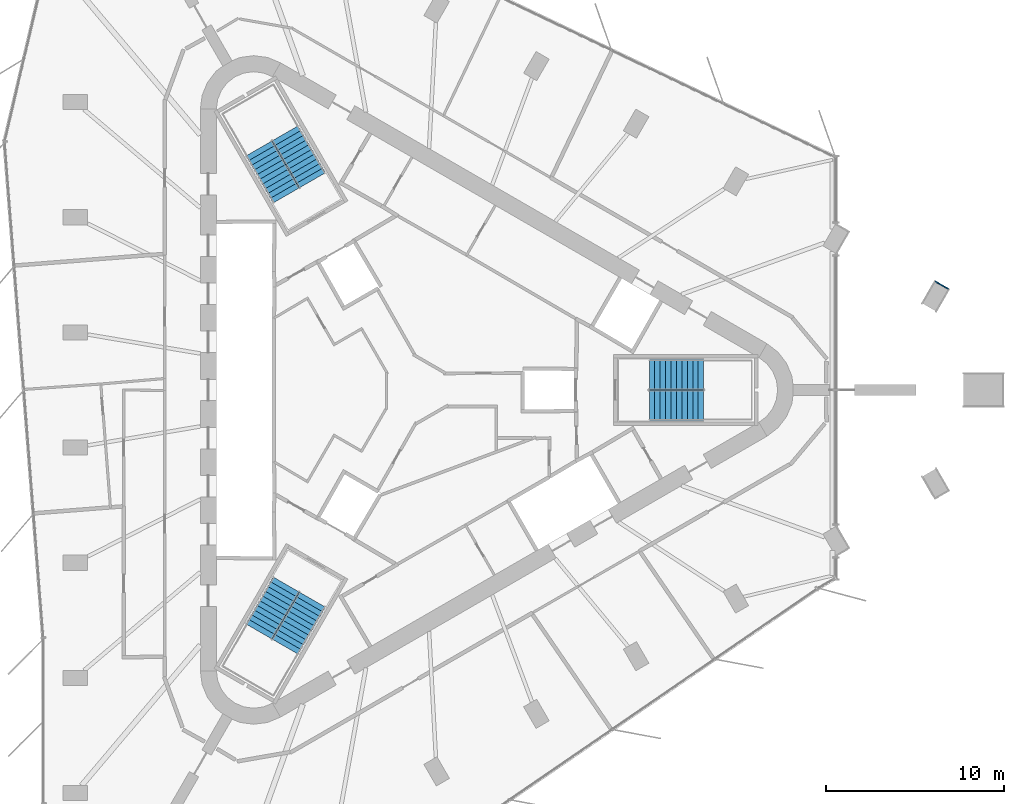
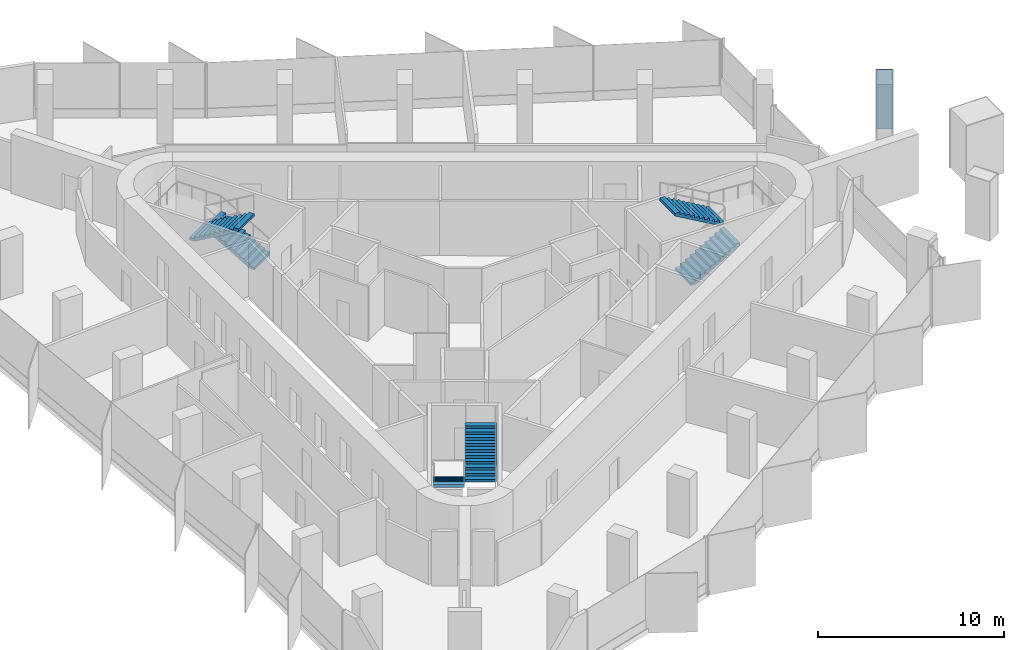
# One storey, part 11 of 12: 6 stair flights, 1 wall, 3 elements without a shape of their own.
"""IFC4 building model written with IfcOpenShell, lengths in metres."""

from ifc_helpers import new_model, si_unit, direction, frame, frame_2d, origin, place, context, subcontext, project, spatial, polyline, rectangle, outline, extrude, material, layer, layer_set, type_object, element, aggregate, save


model = new_model("IFC4")

# Units and contexts
model_context = context("Model", 3, precision=1e-05, world=origin(), true_north=direction((0.0, 1.0)))
body_context = subcontext(model_context, "Body", "Model", "MODEL_VIEW")
ifc_project = project(units=[si_unit("LENGTHUNIT", "METRE"), si_unit("AREAUNIT", "SQUARE_METRE"), si_unit("VOLUMEUNIT", "CUBIC_METRE"), si_unit("PLANEANGLEUNIT", "RADIAN"), si_unit("MASSUNIT", "GRAM", prefix="KILO")], contexts=[model_context])

# Site, building, storey
site_placement = place(None, origin())
site = spatial("IfcSite", under=ifc_project, at=site_placement, CompositionType="ELEMENT")
building_placement = place(site_placement, origin())
building = spatial("IfcBuilding", under=site, at=building_placement, Name="Tanit Gate Tower", CompositionType="ELEMENT")
storey_placement = place(building_placement, frame((0.0, 0.0, 376.699951171875)))
storey = spatial("IfcBuildingStorey", under=building, at=storey_placement, Name="L86", CompositionType="ELEMENT", Elevation=376.699951171875)

# Wall
ifc_material_1 = material(Name="Bronze anodised aluminium cladding", Category="aluminium")
ifc_layer = layer(ifc_material_1, 0.06005859375)
ifc_layer_set = layer_set([ifc_layer], Name="Column casing bronze 60")
wall_type = type_object("IfcWallType", Name="Column casing bronze 60", PredefinedType="SOLIDWALL", material=ifc_layer_set)
wall_placement = place(storey_placement, frame((29.8857421875, 5.666259765625, 0.0), z_axis=(0.0, 0.0, 1.0), x_axis=(-0.866061263272, 0.499937884402, 0.0)))
element("IfcWall", 1, at=wall_placement, inside=storey, type_object=wall_type, Name="Column casing L86 P-NE1.S1", PredefinedType="SOLIDWALL", context=body_context, shape_type="SweptSolid", body=[
    extrude(rectangle(XDim=0.85009765625, YDim=0.06005859375, at=frame_2d((0.425048828125, 0.0))), origin(), (0.0, 0.0, 1.0), 3.900146484375),
])

# Stair, stair flights
ifc_material_2 = material(Name="Concrete C40/50", Category="concrete")
stair_type = type_object("IfcStairType", Name="INT-STAIR-EXIT", PredefinedType="HALF_TURN_STAIR", material=ifc_material_2)
stair_1_placement = place(storey_placement, origin())
stair_1 = element("IfcStair", 2, at=stair_1_placement, inside=storey, type_object=stair_type, Name="L86 STAIR S1", PredefinedType="HALF_TURN_STAIR")
ifc_material_3 = material(Name="Concrete C40/50", Category="concrete")
stair_flight_type = type_object("IfcStairFlightType", Name="INT-STAIR-FLIGHT", PredefinedType="STRAIGHT", material=ifc_material_3)
stair_flight_1_placement = place(storey_placement, frame((13.094970703125, -0.8525390625, 0.0), z_axis=(0.0, 0.0, 1.0), x_axis=(1.0, 0.0, 0.0)))
stair_flight_1 = element("IfcStairFlight", 3, at=stair_flight_1_placement, type_object=stair_flight_type, Name="S1 flight 1", NumberOfRisers=11, NumberOfTreads=10, PredefinedType="STRAIGHT", RiserHeight=0.177272727, TreadLength=0.3051, context=body_context, shape_type="SweptSolid", body=[
    extrude(outline(polyline([(0.0, 0.0), (0.0, 0.17724609375), (0.30517578125, 0.17724609375), (0.30517578125, 0.3544921875), (0.610107421875, 0.3544921875), (0.610107421875, 0.53173828125), (0.915283203125, 0.53173828125), (0.915283203125, 0.708984375), (1.220458984375, 0.708984375), (1.220458984375, 0.886474609375), (1.525390625, 0.886474609375), (1.525390625, 1.063720703125), (1.83056640625, 1.063720703125), (1.83056640625, 1.240966796875), (2.1357421875, 1.240966796875), (2.1357421875, 1.418212890625), (2.44091796875, 1.418212890625), (2.44091796875, 1.595458984375), (2.745849609375, 1.595458984375), (2.745849609375, 1.772705078125), (3.051025390625, 1.772705078125), (3.051025390625, 1.949951171875), (3.051025390625, 1.599365234375), (0.29833984375, 0.0), (0.0, 0.0)])), frame((0.0, 0.84765625, 0.0), z_axis=(0.0, -1.0, 0.0), x_axis=(1.0, 0.0, 0.0)), (0.0, 0.0, 1.0), 1.695068359375),
])
stair_flight_2_placement = place(storey_placement, frame((16.14599609375, 0.8525390625, 1.949951171875), z_axis=(0.0, 0.0, 1.0), x_axis=(-1.0, 0.0, 0.0)))
stair_flight_2 = element("IfcStairFlight", 4, at=stair_flight_2_placement, type_object=stair_flight_type, Name="S1 flight 2", NumberOfRisers=11, NumberOfTreads=10, PredefinedType="STRAIGHT", RiserHeight=0.177272727, TreadLength=0.3051, context=body_context, shape_type="SweptSolid", body=[
    extrude(outline(polyline([(0.0, 0.0), (0.0, 0.17724609375), (0.30517578125, 0.17724609375), (0.30517578125, 0.3544921875), (0.610107421875, 0.3544921875), (0.610107421875, 0.53173828125), (0.915283203125, 0.53173828125), (0.915283203125, 0.708984375), (1.220458984375, 0.708984375), (1.220458984375, 0.886474609375), (1.525390625, 0.886474609375), (1.525390625, 1.063720703125), (1.83056640625, 1.063720703125), (1.83056640625, 1.240966796875), (2.1357421875, 1.240966796875), (2.1357421875, 1.418212890625), (2.44091796875, 1.418212890625), (2.44091796875, 1.595458984375), (2.745849609375, 1.595458984375), (2.745849609375, 1.772705078125), (3.051025390625, 1.772705078125), (3.051025390625, 1.949951171875), (3.051025390625, 1.599365234375), (0.29833984375, 0.0), (0.0, 0.0)])), frame((0.0, 0.84765625, 0.0), z_axis=(0.0, -1.0, 0.0), x_axis=(1.0, 0.0, 0.0)), (0.0, 0.0, 1.0), 1.695068359375),
])
aggregate(stair_1, [stair_flight_1, stair_flight_2])

stair_2_placement = place(storey_placement, origin())
stair_2 = element("IfcStair", 5, at=stair_2_placement, inside=storey, type_object=stair_type, Name="L86 STAIR S2", PredefinedType="HALF_TURN_STAIR")
stair_flight_3_placement = place(storey_placement, frame((-5.808349609375, 11.766357421875, 0.0), z_axis=(0.0, 0.0, 1.0), x_axis=(-0.5, 0.866025403784, 0.0)))
stair_flight_3 = element("IfcStairFlight", 6, at=stair_flight_3_placement, type_object=stair_flight_type, Name="S2 flight 1", NumberOfRisers=11, NumberOfTreads=10, PredefinedType="STRAIGHT", RiserHeight=0.177272727, TreadLength=0.30492, context=body_context, shape_type="SweptSolid", body=[
    extrude(outline(polyline([(0.0, 0.0), (0.0, 0.17724609375), (0.304931640625, 0.17724609375), (0.304931640625, 0.3544921875), (0.60986328125, 0.3544921875), (0.60986328125, 0.53173828125), (0.914794921875, 0.53173828125), (0.914794921875, 0.708984375), (1.2197265625, 0.708984375), (1.2197265625, 0.886474609375), (1.524658203125, 0.886474609375), (1.524658203125, 1.063720703125), (1.82958984375, 1.063720703125), (1.82958984375, 1.240966796875), (2.134521484375, 1.240966796875), (2.134521484375, 1.418212890625), (2.439453125, 1.418212890625), (2.439453125, 1.595458984375), (2.744384765625, 1.595458984375), (2.744384765625, 1.772705078125), (3.04931640625, 1.772705078125), (3.04931640625, 1.949951171875), (3.04931640625, 1.599365234375), (0.29833984375, 0.0), (0.0, 0.0)])), frame((0.0, 0.84716796875, 0.0), z_axis=(0.0, -1.0, 0.0), x_axis=(1.0, 0.0, 0.0)), (0.0, 0.0, 1.0), 1.694091796875),
])
stair_flight_4_placement = place(storey_placement, frame((-8.810302734375, 13.553955078125, 1.949951171875), z_axis=(0.0, 0.0, 1.0), x_axis=(0.5, -0.866025403784, 0.0)))
stair_flight_4 = element("IfcStairFlight", 7, at=stair_flight_4_placement, type_object=stair_flight_type, Name="S2 flight 2", NumberOfRisers=11, NumberOfTreads=10, PredefinedType="STRAIGHT", RiserHeight=0.177272727, TreadLength=0.30492, context=body_context, shape_type="SweptSolid", body=[
    extrude(outline(polyline([(0.0, 0.0), (0.0, 0.17724609375), (0.304931640625, 0.17724609375), (0.304931640625, 0.3544921875), (0.60986328125, 0.3544921875), (0.60986328125, 0.53173828125), (0.914794921875, 0.53173828125), (0.914794921875, 0.708984375), (1.2197265625, 0.708984375), (1.2197265625, 0.886474609375), (1.524658203125, 0.886474609375), (1.524658203125, 1.063720703125), (1.82958984375, 1.063720703125), (1.82958984375, 1.240966796875), (2.134521484375, 1.240966796875), (2.134521484375, 1.418212890625), (2.439453125, 1.418212890625), (2.439453125, 1.595458984375), (2.744384765625, 1.595458984375), (2.744384765625, 1.772705078125), (3.04931640625, 1.772705078125), (3.04931640625, 1.949951171875), (3.04931640625, 1.599365234375), (0.29833984375, 0.0), (0.0, 0.0)])), frame((0.0, 0.84716796875, 0.0), z_axis=(0.0, -1.0, 0.0), x_axis=(1.0, 0.0, 0.0)), (0.0, 0.0, 1.0), 1.694091796875),
])
aggregate(stair_2, [stair_flight_3, stair_flight_4])

stair_3_placement = place(storey_placement, origin())
stair_3 = element("IfcStair", 8, at=stair_3_placement, inside=storey, type_object=stair_type, Name="L86 STAIR S3", PredefinedType="HALF_TURN_STAIR")
stair_flight_5_placement = place(storey_placement, frame((-7.285888671875, -10.914306640625, 0.0), z_axis=(0.0, 0.0, 1.0), x_axis=(-0.5, -0.866025403784, 0.0)))
stair_flight_5 = element("IfcStairFlight", 9, at=stair_flight_5_placement, type_object=stair_flight_type, Name="S3 flight 1", NumberOfRisers=11, NumberOfTreads=10, PredefinedType="STRAIGHT", RiserHeight=0.177272727, TreadLength=0.3051, context=body_context, shape_type="SweptSolid", body=[
    extrude(outline(polyline([(0.0, 0.0), (0.0, 0.17724609375), (0.30517578125, 0.17724609375), (0.30517578125, 0.3544921875), (0.610107421875, 0.3544921875), (0.610107421875, 0.53173828125), (0.915283203125, 0.53173828125), (0.915283203125, 0.708984375), (1.220458984375, 0.708984375), (1.220458984375, 0.886474609375), (1.525390625, 0.886474609375), (1.525390625, 1.063720703125), (1.83056640625, 1.063720703125), (1.83056640625, 1.240966796875), (2.1357421875, 1.240966796875), (2.1357421875, 1.418212890625), (2.44091796875, 1.418212890625), (2.44091796875, 1.595458984375), (2.745849609375, 1.595458984375), (2.745849609375, 1.772705078125), (3.051025390625, 1.772705078125), (3.051025390625, 1.949951171875), (3.051025390625, 1.599365234375), (0.29833984375, 0.0), (0.0, 0.0)])), frame((0.0, 0.84765625, 0.0), z_axis=(0.0, -1.0, 0.0), x_axis=(1.0, 0.0, 0.0)), (0.0, 0.0, 1.0), 1.695068359375),
])
stair_flight_6_placement = place(storey_placement, frame((-7.334716796875, -14.4091796875, 1.949951171875), z_axis=(0.0, 0.0, 1.0), x_axis=(0.5, 0.866025403784, 0.0)))
stair_flight_6 = element("IfcStairFlight", 10, at=stair_flight_6_placement, type_object=stair_flight_type, Name="S3 flight 2", NumberOfRisers=11, NumberOfTreads=10, PredefinedType="STRAIGHT", RiserHeight=0.177272727, TreadLength=0.3051, context=body_context, shape_type="SweptSolid", body=[
    extrude(outline(polyline([(0.0, 0.0), (0.0, 0.17724609375), (0.30517578125, 0.17724609375), (0.30517578125, 0.3544921875), (0.610107421875, 0.3544921875), (0.610107421875, 0.53173828125), (0.915283203125, 0.53173828125), (0.915283203125, 0.708984375), (1.220458984375, 0.708984375), (1.220458984375, 0.886474609375), (1.525390625, 0.886474609375), (1.525390625, 1.063720703125), (1.83056640625, 1.063720703125), (1.83056640625, 1.240966796875), (2.1357421875, 1.240966796875), (2.1357421875, 1.418212890625), (2.44091796875, 1.418212890625), (2.44091796875, 1.595458984375), (2.745849609375, 1.595458984375), (2.745849609375, 1.772705078125), (3.051025390625, 1.772705078125), (3.051025390625, 1.949951171875), (3.051025390625, 1.599365234375), (0.29833984375, 0.0), (0.0, 0.0)])), frame((0.0, 0.84765625, 0.0), z_axis=(0.0, -1.0, 0.0), x_axis=(1.0, 0.0, 0.0)), (0.0, 0.0, 1.0), 1.695068359375),
])
aggregate(stair_3, [stair_flight_5, stair_flight_6])

save(model, "model.ifc")
